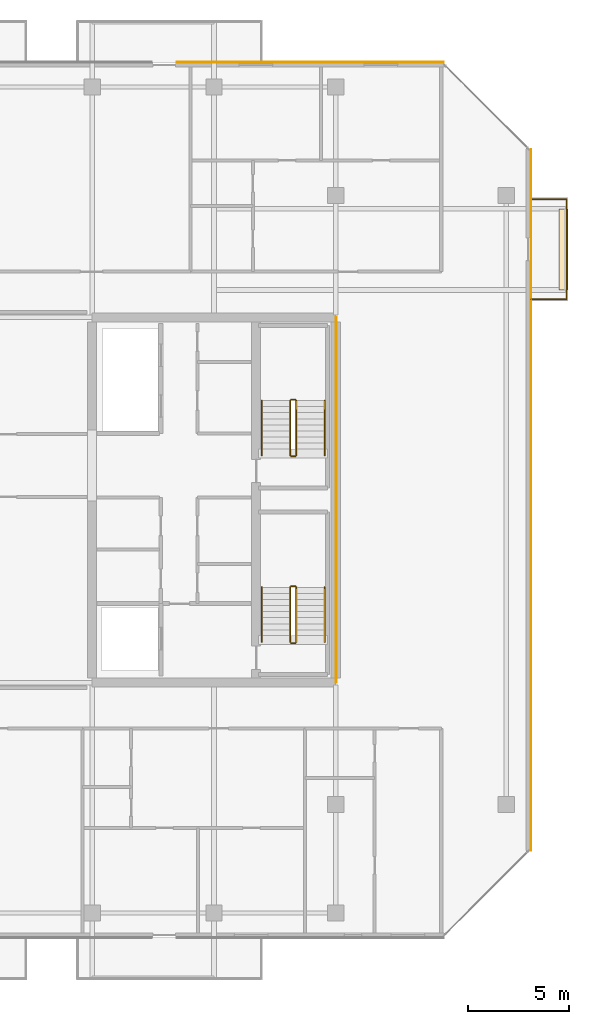
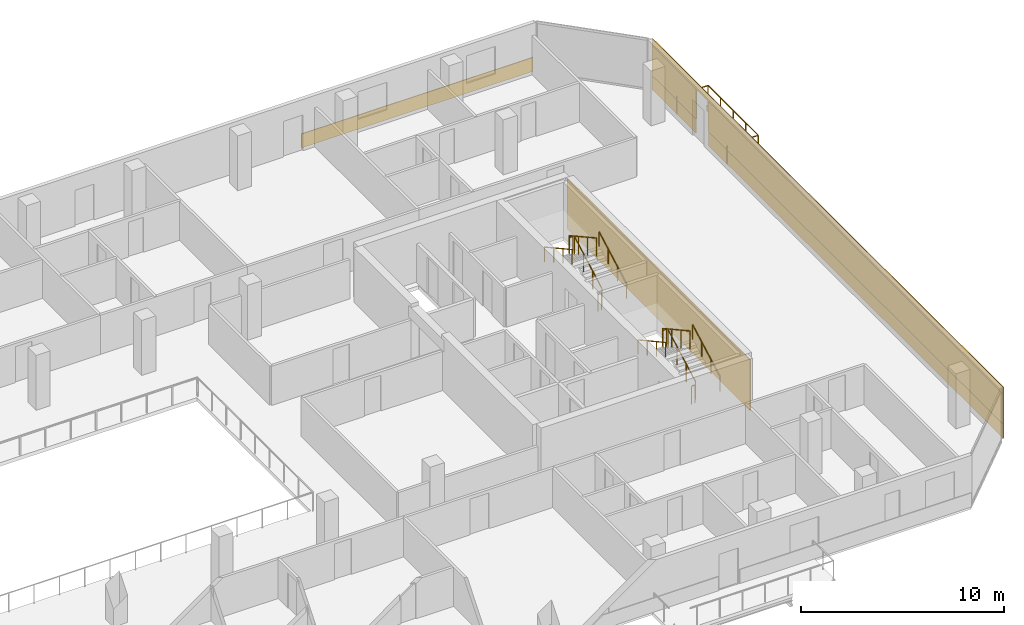
# One storey, part 28 of 28: 13 railings, 8 coverings.
"""IFC4 building model written with IfcOpenShell, lengths in metres."""

from ifc_helpers import new_model, si_unit, direction, frame, origin, origin_2d, place, context, subcontext, project, spatial, polyline, rectangle, outline, extrude, material, layer, layer_set, type_object, element, save


model = new_model("IFC4")

# Units and contexts
model_context = context("Model", 3, precision=1e-05, world=origin(), true_north=direction((0.0, 1.0)))
body_context = subcontext(model_context, "Body", "Model", "MODEL_VIEW")
ifc_project = project(units=[si_unit("LENGTHUNIT", "METRE"), si_unit("AREAUNIT", "SQUARE_METRE"), si_unit("VOLUMEUNIT", "CUBIC_METRE"), si_unit("PLANEANGLEUNIT", "RADIAN"), si_unit("MASSUNIT", "GRAM", prefix="KILO")], contexts=[model_context])

# Site, building, storey
site_placement = place(None, origin())
site = spatial("IfcSite", under=ifc_project, at=site_placement, CompositionType="ELEMENT")
building_placement = place(site_placement, origin())
building = spatial("IfcBuilding", under=site, at=building_placement, Name="Tanjung Sevakor Pilgrim Tower", CompositionType="ELEMENT")
storey_placement = place(building_placement, frame((0.0, 0.0, 185.1298828125)))
storey = spatial("IfcBuildingStorey", under=building, at=storey_placement, Name="L51", CompositionType="ELEMENT", Elevation=185.1298828125)

# Coverings
ifc_material_1 = material(Name="Reconstructed Limestone Cladding", Category="masonry")
ifc_layer_1 = layer(ifc_material_1, 0.044921875)
ifc_layer_set_1 = layer_set([ifc_layer_1], Name="COV-CLAD-LIMESTONE")
covering_type_1 = type_object("IfcCoveringType", Name="COV-CLAD-LIMESTONE", PredefinedType="CLADDING", material=ifc_layer_set_1)
covering_1_placement = place(storey_placement, frame((99.62255859375, 30.837890625, 0.01025390625), z_axis=(0.0, 0.0, 1.0), x_axis=(0.0, 1.0, 0.0)))
element("IfcCovering", 1, at=covering_1_placement, inside=storey, type_object=covering_type_1, Name="L51 Warm Limestone Sill Spandrel EW-L51-MAIN-7-1", PredefinedType="CLADDING", context=body_context, shape_type="SweptSolid", body=[
    extrude(rectangle(XDim=29.00439453125, YDim=0.044921875, at=origin_2d()), origin(), (0.0, 0.0, 1.0), 0.840087890625),
])
covering_2_placement = place(storey_placement, frame((99.62255859375, 48.712158203125, 0.01025390625), z_axis=(0.0, 0.0, 1.0), x_axis=(0.0, 1.0, 0.0)))
element("IfcCovering", 2, at=covering_2_placement, inside=storey, type_object=covering_type_1, Name="L51 Warm Limestone Sill Spandrel EW-L51-MAIN-7-2", PredefinedType="CLADDING", context=body_context, shape_type="SweptSolid", body=[
    extrude(rectangle(XDim=4.304443359375, YDim=0.044921875, at=origin_2d()), origin(), (0.0, 0.0, 1.0), 0.840087890625),
])
covering_3_placement = place(storey_placement, frame((99.62255859375, 33.60009765625, 2.66015625), z_axis=(0.0, 0.0, 1.0), x_axis=(0.0, 1.0, 0.0)))
element("IfcCovering", 3, at=covering_3_placement, inside=storey, type_object=covering_type_1, Name="L51 Warm Limestone Cornice Spandrel EW-L51-MAIN-7", PredefinedType="CLADDING", context=body_context, shape_type="SweptSolid", body=[
    extrude(rectangle(XDim=34.56884765625, YDim=0.044921875, at=origin_2d()), origin(), (0.0, 0.0, 1.0), 0.409912109375),
])
covering_4_placement = place(storey_placement, frame((99.62255859375, 30.8427734375, 0.85009765625), z_axis=(0.0, 0.0, 1.0), x_axis=(0.0, 1.0, 0.0)))
element("IfcCovering", 4, at=covering_4_placement, inside=storey, type_object=covering_type_1, Name="L51 Warm Limestone Pier Panel EW-L51-MAIN-7-1", PredefinedType="CLADDING", context=body_context, shape_type="SweptSolid", body=[
    extrude(rectangle(XDim=29.014404296875, YDim=0.044921875, at=origin_2d()), origin(), (0.0, 0.0, 1.0), 1.81005859375),
])
covering_5_placement = place(storey_placement, frame((99.62255859375, 48.707275390625, 0.85009765625), z_axis=(0.0, 0.0, 1.0), x_axis=(0.0, 1.0, 0.0)))
element("IfcCovering", 5, at=covering_5_placement, inside=storey, type_object=covering_type_1, Name="L51 Warm Limestone Pier Panel EW-L51-MAIN-7-2", PredefinedType="CLADDING", context=body_context, shape_type="SweptSolid", body=[
    extrude(rectangle(XDim=4.314453125, YDim=0.044921875, at=origin_2d()), origin(), (0.0, 0.0, 1.0), 1.81005859375),
])
covering_6_placement = place(storey_placement, frame((88.7373046875, 55.172607421875, 0.01025390625), z_axis=(0.0, 0.0, 1.0), x_axis=(-1.0, 0.0, 0.0)))
element("IfcCovering", 6, at=covering_6_placement, inside=storey, type_object=covering_type_1, Name="L51 Warm Limestone Sill Spandrel EW-L51-MAIN-9-1", PredefinedType="CLADDING", context=body_context, shape_type="SweptSolid", body=[
    extrude(rectangle(XDim=13.154296875, YDim=0.044921875, at=origin_2d()), origin(), (0.0, 0.0, 1.0), 0.840087890625),
])
covering_7_placement = place(storey_placement, frame((90.0224609375, 33.60009765625, 0.02001953125), z_axis=(0.0, 0.0, 1.0), x_axis=(1.0, 0.0, 0.0)))
element("IfcCovering", 7, at=covering_7_placement, inside=storey, type_object=covering_type_1, Name="L51 Expressed Core Warm Limestone Cladding E", PredefinedType="CLADDING", context=body_context, shape_type="SweptSolid", body=[
    extrude(rectangle(XDim=0.044921875, YDim=18.0, at=origin_2d()), origin(), (0.0, 0.0, 1.0), 3.0400390625),
])
ifc_material_2 = material(Name="Vegetated Modular Planter Assembly", Category="organic")
ifc_layer_2 = layer(ifc_material_2, 0.35009765625)
ifc_layer_set_2 = layer_set([ifc_layer_2], Name="COV-GRN-TROUGH")
covering_type_2 = type_object("IfcCoveringType", Name="COV-GRN-TROUGH", PredefinedType="CLADDING", material=ifc_layer_set_2)
covering_8_placement = place(storey_placement, origin())
element("IfcCovering", 8, at=covering_8_placement, inside=storey, type_object=covering_type_2, Name="L51 Planted Landscape Hedge Trough BGRN-L51-MAIN-E1", PredefinedType="CLADDING", context=body_context, shape_type="SweptSolid", body=[
    extrude(outline(polyline([(101.449951171875, 43.949951171875), (101.449951171875, 47.949951171875), (101.010009765625, 47.949951171875), (101.010009765625, 43.949951171875), (101.449951171875, 43.949951171875)])), origin(), (0.0, 0.0, 1.0), 0.35009765625),
])

# Railings
ifc_material_3 = material(Name="Laminated Glass and Aluminium", Category="aluminium")
railing_type_1 = type_object("IfcRailingType", Name="RL-BAL-BALUST", PredefinedType="BALUSTRADE", material=ifc_material_3)
railing_1_placement = place(storey_placement, frame((99.60009765625, 43.47998046875, 0.0)))
element("IfcRailing", 9, at=railing_1_placement, inside=storey, type_object=railing_type_1, Name="L51 Loggia Balustrade MAIN-E1", PredefinedType="BALUSTRADE", context=body_context, shape_type="SweptSolid", body=[
    extrude(rectangle(XDim=0.0479, YDim=0.0479), frame((0.0, 0.0, 1.1259765625), z_axis=(1.0, 0.0, 0.0), x_axis=(0.0, 1.0, 0.0)), (0.0, 0.0, 1.0), 1.77001953125),
    extrude(rectangle(XDim=0.0479, YDim=0.0479), frame((1.77001953125, 0.0, 1.1259765625), z_axis=(0.0, 1.0, 0.0), x_axis=(-1.0, 0.0, 0.0)), (0.0, 0.0, 1.0), 4.93994140625),
    extrude(rectangle(XDim=0.0479, YDim=0.0479), frame((1.77001953125, 4.93994140625, 1.1259765625), z_axis=(-1.0, 0.0, 0.0), x_axis=(0.0, -1.0, 0.0)), (0.0, 0.0, 1.0), 1.77001953125),
    extrude(rectangle(XDim=0.042, YDim=0.042), origin(), (0.0, 0.0, 1.0), 1.101806640625),
    extrude(rectangle(XDim=0.042, YDim=0.042), frame((0.885009765625, 0.0, 0.0)), (0.0, 0.0, 1.0), 1.101806640625),
    extrude(rectangle(XDim=0.042, YDim=0.042), frame((1.77001953125, 0.0, 0.0)), (0.0, 0.0, 1.0), 1.101806640625),
    extrude(rectangle(XDim=0.042, YDim=0.042), frame((1.77001953125, 1.23486328125, 0.0)), (0.0, 0.0, 1.0), 1.101806640625),
    extrude(rectangle(XDim=0.042, YDim=0.042), frame((1.77001953125, 2.469970703125, 0.0)), (0.0, 0.0, 1.0), 1.101806640625),
    extrude(rectangle(XDim=0.042, YDim=0.042), frame((1.77001953125, 3.705078125, 0.0)), (0.0, 0.0, 1.0), 1.101806640625),
    extrude(rectangle(XDim=0.042, YDim=0.042), frame((1.77001953125, 4.93994140625, 0.0)), (0.0, 0.0, 1.0), 1.101806640625),
    extrude(rectangle(XDim=0.042, YDim=0.042), frame((0.885009765625, 4.93994140625, 0.0)), (0.0, 0.0, 1.0), 1.101806640625),
    extrude(rectangle(XDim=0.042, YDim=0.042), frame((0.0, 4.93994140625, 0.0)), (0.0, 0.0, 1.0), 1.101806640625),
])
ifc_material_4 = material(Name="Steel S355J2", Category="steel")
railing_type_2 = type_object("IfcRailingType", Name="RL-STAIR-GUARD", PredefinedType="GUARDRAIL", material=ifc_material_4)
railing_2_placement = place(storey_placement, frame((88.050048828125, 26.60009765625, 0.1650390625)))
element("IfcRailing", 10, at=railing_2_placement, inside=storey, type_object=railing_type_2, Name="L51 TS-E1 stair guard 1", PredefinedType="GUARDRAIL", context=body_context, shape_type="SweptSolid", body=[
    extrude(rectangle(XDim=0.0479, YDim=0.0479), frame((0.0, 0.0, 1.076171875), z_axis=(0.0, 0.876197507361, 0.481952205197), x_axis=(-1.0, 0.0, 0.0)), (0.0, 0.0, 1.0), 3.08154296875),
    extrude(rectangle(XDim=0.042, YDim=0.042), origin(), (0.0, 0.0, 1.0), 1.052001953125),
    extrude(rectangle(XDim=0.042, YDim=0.042), frame((0.0, 0.89990234375, 0.4951171875)), (0.0, 0.0, 1.0), 1.052001953125),
    extrude(rectangle(XDim=0.042, YDim=0.042), frame((0.0, 1.800048828125, 0.989990234375)), (0.0, 0.0, 1.0), 1.052001953125),
    extrude(rectangle(XDim=0.042, YDim=0.042), frame((0.0, 2.699951171875, 1.485107421875)), (0.0, 0.0, 1.0), 1.052001953125),
])
railing_3_placement = place(storey_placement, frame((88.0, 29.35009765625, 1.650146484375)))
element("IfcRailing", 11, at=railing_3_placement, inside=storey, type_object=railing_type_2, Name="L51 TS-E1 stair guard 2", PredefinedType="GUARDRAIL", context=body_context, shape_type="SweptSolid", body=[
    extrude(rectangle(XDim=0.0479, YDim=0.0479), frame((0.0, 0.0, 1.076171875), z_axis=(-1.0, 0.0, 0.0), x_axis=(0.0, -1.0, 0.0)), (0.0, 0.0, 1.0), 0.199951171875),
    extrude(rectangle(XDim=0.042, YDim=0.042), origin(), (0.0, 0.0, 1.0), 1.052001953125),
    extrude(rectangle(XDim=0.042, YDim=0.042), frame((-0.199951171875, 0.0, 0.0)), (0.0, 0.0, 1.0), 1.052001953125),
])
railing_4_placement = place(storey_placement, frame((87.75, 29.300048828125, 1.815185546875)))
element("IfcRailing", 12, at=railing_4_placement, inside=storey, type_object=railing_type_2, Name="L51 TS-E1 stair guard 3", PredefinedType="GUARDRAIL", context=body_context, shape_type="SweptSolid", body=[
    extrude(rectangle(XDim=0.0479, YDim=0.0479), frame((0.0, 0.0, 1.076171875), z_axis=(0.0, -0.876230963923, 0.481891375584), x_axis=(1.0, 0.0, 0.0)), (0.0, 0.0, 1.0), 3.081298828125),
    extrude(rectangle(XDim=0.042, YDim=0.042), origin(), (0.0, 0.0, 1.0), 1.052001953125),
    extrude(rectangle(XDim=0.042, YDim=0.042), frame((0.0, -0.89990234375, 0.494873046875)), (0.0, 0.0, 1.0), 1.052001953125),
    extrude(rectangle(XDim=0.042, YDim=0.042), frame((0.0, -1.800048828125, 0.989990234375)), (0.0, 0.0, 1.0), 1.052001953125),
    extrude(rectangle(XDim=0.042, YDim=0.042), frame((0.0, -2.699951171875, 1.48486328125)), (0.0, 0.0, 1.0), 1.052001953125),
])
railing_5_placement = place(storey_placement, frame((88.0, 26.550048828125, 0.0)))
element("IfcRailing", 13, at=railing_5_placement, inside=storey, type_object=railing_type_2, Name="L51 TS-E1 stair guard 4", PredefinedType="GUARDRAIL", context=body_context, shape_type="SweptSolid", body=[
    extrude(rectangle(XDim=0.0479, YDim=0.0479), frame((0.0, 0.0, 1.076171875), z_axis=(-1.0, 0.0, 0.0), x_axis=(0.0, -1.0, 0.0)), (0.0, 0.0, 1.0), 0.199951171875),
    extrude(rectangle(XDim=0.042, YDim=0.042), origin(), (0.0, 0.0, 1.0), 1.052001953125),
    extrude(rectangle(XDim=0.042, YDim=0.042), frame((-0.199951171875, 0.0, 0.0)), (0.0, 0.0, 1.0), 1.052001953125),
])
railing_6_placement = place(storey_placement, frame((88.050048828125, 35.800048828125, 0.1650390625)))
element("IfcRailing", 14, at=railing_6_placement, inside=storey, type_object=railing_type_2, Name="L51 TS-E2 stair guard 1", PredefinedType="GUARDRAIL", context=body_context, shape_type="SweptSolid", body=[
    extrude(rectangle(XDim=0.0479, YDim=0.0479), frame((0.0, 0.0, 1.076171875), z_axis=(0.0, 0.876197507361, 0.481952205197), x_axis=(-1.0, 0.0, 0.0)), (0.0, 0.0, 1.0), 3.08154296875),
    extrude(rectangle(XDim=0.042, YDim=0.042), origin(), (0.0, 0.0, 1.0), 1.052001953125),
    extrude(rectangle(XDim=0.042, YDim=0.042), frame((0.0, 0.89990234375, 0.4951171875)), (0.0, 0.0, 1.0), 1.052001953125),
    extrude(rectangle(XDim=0.042, YDim=0.042), frame((0.0, 1.800048828125, 0.989990234375)), (0.0, 0.0, 1.0), 1.052001953125),
    extrude(rectangle(XDim=0.042, YDim=0.042), frame((0.0, 2.699951171875, 1.485107421875)), (0.0, 0.0, 1.0), 1.052001953125),
])
railing_7_placement = place(storey_placement, frame((88.0, 38.550048828125, 1.650146484375)))
element("IfcRailing", 15, at=railing_7_placement, inside=storey, type_object=railing_type_2, Name="L51 TS-E2 stair guard 2", PredefinedType="GUARDRAIL", context=body_context, shape_type="SweptSolid", body=[
    extrude(rectangle(XDim=0.0479, YDim=0.0479), frame((0.0, 0.0, 1.076171875), z_axis=(-1.0, 0.0, 0.0), x_axis=(0.0, -1.0, 0.0)), (0.0, 0.0, 1.0), 0.199951171875),
    extrude(rectangle(XDim=0.042, YDim=0.042), origin(), (0.0, 0.0, 1.0), 1.052001953125),
    extrude(rectangle(XDim=0.042, YDim=0.042), frame((-0.199951171875, 0.0, 0.0)), (0.0, 0.0, 1.0), 1.052001953125),
])
railing_8_placement = place(storey_placement, frame((87.75, 38.5, 1.815185546875)))
element("IfcRailing", 16, at=railing_8_placement, inside=storey, type_object=railing_type_2, Name="L51 TS-E2 stair guard 3", PredefinedType="GUARDRAIL", context=body_context, shape_type="SweptSolid", body=[
    extrude(rectangle(XDim=0.0479, YDim=0.0479), frame((0.0, 0.0, 1.076171875), z_axis=(0.0, -0.876230963923, 0.481891375584), x_axis=(1.0, 0.0, 0.0)), (0.0, 0.0, 1.0), 3.081298828125),
    extrude(rectangle(XDim=0.042, YDim=0.042), origin(), (0.0, 0.0, 1.0), 1.052001953125),
    extrude(rectangle(XDim=0.042, YDim=0.042), frame((0.0, -0.89990234375, 0.494873046875)), (0.0, 0.0, 1.0), 1.052001953125),
    extrude(rectangle(XDim=0.042, YDim=0.042), frame((0.0, -1.800048828125, 0.989990234375)), (0.0, 0.0, 1.0), 1.052001953125),
    extrude(rectangle(XDim=0.042, YDim=0.042), frame((0.0, -2.699951171875, 1.48486328125)), (0.0, 0.0, 1.0), 1.052001953125),
])
railing_9_placement = place(storey_placement, frame((88.0, 35.75, 0.0)))
element("IfcRailing", 17, at=railing_9_placement, inside=storey, type_object=railing_type_2, Name="L51 TS-E2 stair guard 4", PredefinedType="GUARDRAIL", context=body_context, shape_type="SweptSolid", body=[
    extrude(rectangle(XDim=0.0479, YDim=0.0479), frame((0.0, 0.0, 1.076171875), z_axis=(-1.0, 0.0, 0.0), x_axis=(0.0, -1.0, 0.0)), (0.0, 0.0, 1.0), 0.199951171875),
    extrude(rectangle(XDim=0.042, YDim=0.042), origin(), (0.0, 0.0, 1.0), 1.052001953125),
    extrude(rectangle(XDim=0.042, YDim=0.042), frame((-0.199951171875, 0.0, 0.0)), (0.0, 0.0, 1.0), 1.052001953125),
])
ifc_material_5 = material(Name="Steel S355J2", Category="steel")
railing_type_3 = type_object("IfcRailingType", Name="RL-STAIR-HAND", PredefinedType="HANDRAIL", material=ifc_material_5)
railing_10_placement = place(storey_placement, frame((89.449951171875, 26.60009765625, 0.1650390625)))
element("IfcRailing", 18, at=railing_10_placement, inside=storey, type_object=railing_type_3, Name="L51 TS-E1 stair handrail 1", PredefinedType="HANDRAIL", context=body_context, shape_type="SweptSolid", body=[
    extrude(rectangle(XDim=0.0479, YDim=0.0479), frame((0.0, 0.0, 0.8759765625), z_axis=(0.0, 0.876197507361, 0.481952205197), x_axis=(-1.0, 0.0, 0.0)), (0.0, 0.0, 1.0), 3.08154296875),
    extrude(rectangle(XDim=0.042, YDim=0.042), origin(), (0.0, 0.0, 1.0), 0.851806640625),
    extrude(rectangle(XDim=0.042, YDim=0.042), frame((0.0, 0.89990234375, 0.4951171875)), (0.0, 0.0, 1.0), 0.851806640625),
    extrude(rectangle(XDim=0.042, YDim=0.042), frame((0.0, 1.800048828125, 0.989990234375)), (0.0, 0.0, 1.0), 0.851806640625),
    extrude(rectangle(XDim=0.042, YDim=0.042), frame((0.0, 2.699951171875, 1.485107421875)), (0.0, 0.0, 1.0), 0.851806640625),
])
railing_11_placement = place(storey_placement, frame((86.35009765625, 29.300048828125, 1.815185546875)))
element("IfcRailing", 19, at=railing_11_placement, inside=storey, type_object=railing_type_3, Name="L51 TS-E1 stair handrail 2", PredefinedType="HANDRAIL", context=body_context, shape_type="SweptSolid", body=[
    extrude(rectangle(XDim=0.0479, YDim=0.0479), frame((0.0, 0.0, 0.8759765625), z_axis=(0.0, -0.876230963923, 0.481891375584), x_axis=(1.0, 0.0, 0.0)), (0.0, 0.0, 1.0), 3.081298828125),
    extrude(rectangle(XDim=0.042, YDim=0.042), origin(), (0.0, 0.0, 1.0), 0.851806640625),
    extrude(rectangle(XDim=0.042, YDim=0.042), frame((0.0, -0.89990234375, 0.494873046875)), (0.0, 0.0, 1.0), 0.851806640625),
    extrude(rectangle(XDim=0.042, YDim=0.042), frame((0.0, -1.800048828125, 0.989990234375)), (0.0, 0.0, 1.0), 0.851806640625),
    extrude(rectangle(XDim=0.042, YDim=0.042), frame((0.0, -2.699951171875, 1.48486328125)), (0.0, 0.0, 1.0), 0.851806640625),
])
railing_12_placement = place(storey_placement, frame((89.449951171875, 35.800048828125, 0.1650390625)))
element("IfcRailing", 20, at=railing_12_placement, inside=storey, type_object=railing_type_3, Name="L51 TS-E2 stair handrail 1", PredefinedType="HANDRAIL", context=body_context, shape_type="SweptSolid", body=[
    extrude(rectangle(XDim=0.0479, YDim=0.0479), frame((0.0, 0.0, 0.8759765625), z_axis=(0.0, 0.876197507361, 0.481952205197), x_axis=(-1.0, 0.0, 0.0)), (0.0, 0.0, 1.0), 3.08154296875),
    extrude(rectangle(XDim=0.042, YDim=0.042), origin(), (0.0, 0.0, 1.0), 0.851806640625),
    extrude(rectangle(XDim=0.042, YDim=0.042), frame((0.0, 0.89990234375, 0.4951171875)), (0.0, 0.0, 1.0), 0.851806640625),
    extrude(rectangle(XDim=0.042, YDim=0.042), frame((0.0, 1.800048828125, 0.989990234375)), (0.0, 0.0, 1.0), 0.851806640625),
    extrude(rectangle(XDim=0.042, YDim=0.042), frame((0.0, 2.699951171875, 1.485107421875)), (0.0, 0.0, 1.0), 0.851806640625),
])
railing_13_placement = place(storey_placement, frame((86.35009765625, 38.5, 1.815185546875)))
element("IfcRailing", 21, at=railing_13_placement, inside=storey, type_object=railing_type_3, Name="L51 TS-E2 stair handrail 2", PredefinedType="HANDRAIL", context=body_context, shape_type="SweptSolid", body=[
    extrude(rectangle(XDim=0.0479, YDim=0.0479), frame((0.0, 0.0, 0.8759765625), z_axis=(0.0, -0.876230963923, 0.481891375584), x_axis=(1.0, 0.0, 0.0)), (0.0, 0.0, 1.0), 3.081298828125),
    extrude(rectangle(XDim=0.042, YDim=0.042), origin(), (0.0, 0.0, 1.0), 0.851806640625),
    extrude(rectangle(XDim=0.042, YDim=0.042), frame((0.0, -0.89990234375, 0.494873046875)), (0.0, 0.0, 1.0), 0.851806640625),
    extrude(rectangle(XDim=0.042, YDim=0.042), frame((0.0, -1.800048828125, 0.989990234375)), (0.0, 0.0, 1.0), 0.851806640625),
    extrude(rectangle(XDim=0.042, YDim=0.042), frame((0.0, -2.699951171875, 1.48486328125)), (0.0, 0.0, 1.0), 0.851806640625),
])

save(model, "model.ifc")
